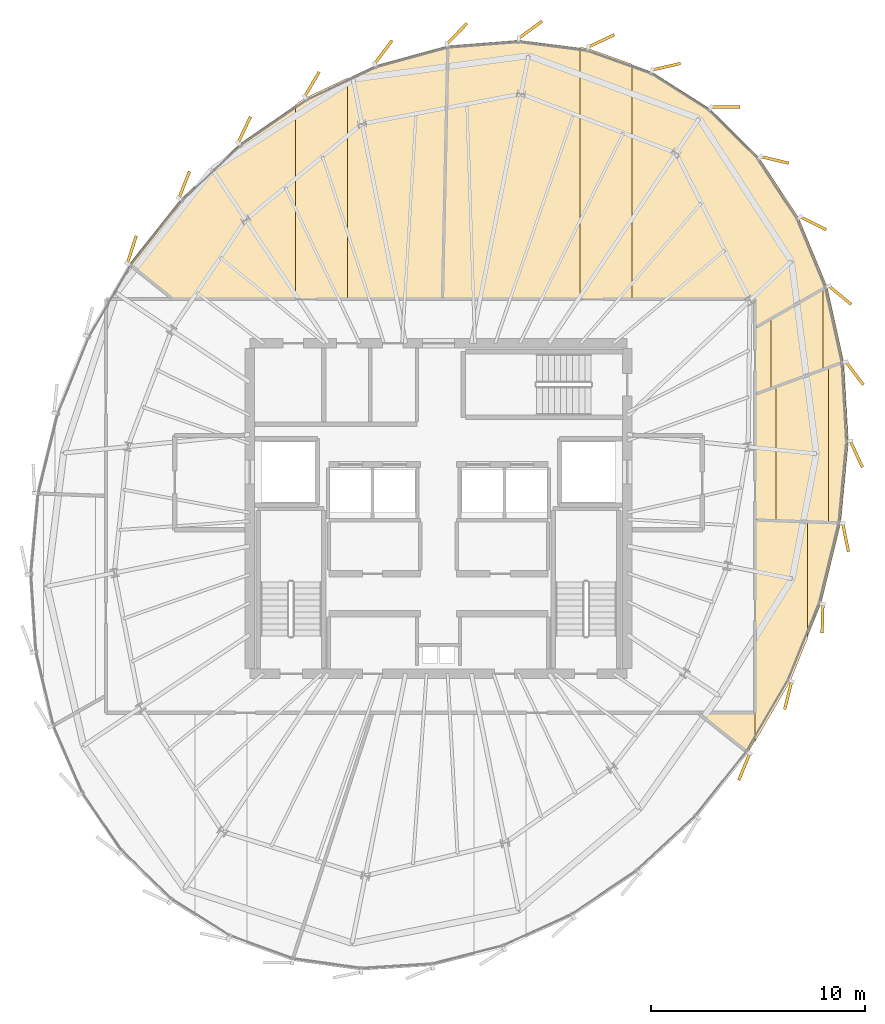
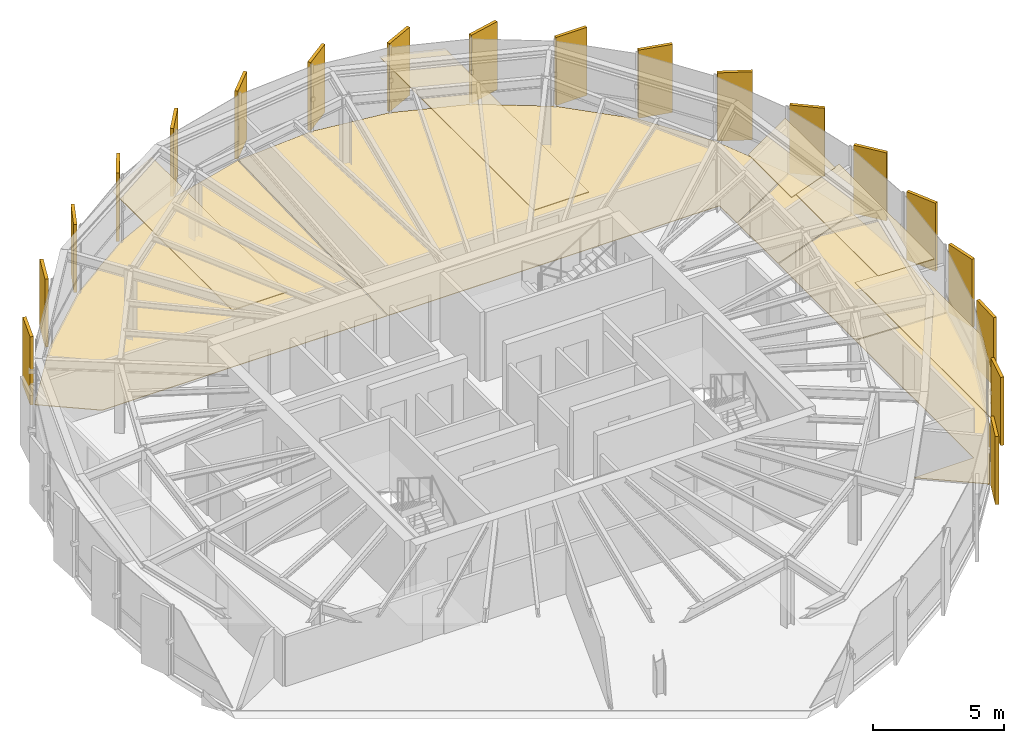
# One storey, part 31 of 31: 29 coverings.
"""IFC4 building model written with IfcOpenShell, lengths in metres."""

from ifc_helpers import new_model, si_unit, direction, frame, origin, origin_2d, place, context, subcontext, project, spatial, polyline, rectangle, outline, extrude, source, transform, mapped, material, layer, layer_set, type_object, element, save


model = new_model("IFC4")

# Units and contexts
model_context = context("Model", 3, precision=1e-05, world=origin(), true_north=direction((0.0, 1.0)))
body_context = subcontext(model_context, "Body", "Model", "MODEL_VIEW")
ifc_project = project(units=[si_unit("LENGTHUNIT", "METRE"), si_unit("AREAUNIT", "SQUARE_METRE"), si_unit("VOLUMEUNIT", "CUBIC_METRE"), si_unit("PLANEANGLEUNIT", "RADIAN"), si_unit("MASSUNIT", "GRAM", prefix="KILO"), si_unit("THERMODYNAMICTEMPERATUREUNIT", "KELVIN")], contexts=[model_context])

# Site, building, storey
site_placement = place(None, origin())
site = spatial("IfcSite", under=ifc_project, at=site_placement, CompositionType="ELEMENT")
building_placement = place(site_placement, origin())
building = spatial("IfcBuilding", under=site, at=building_placement, Name="Kethvar Cultural Tower", CompositionType="ELEMENT")
storey_placement = place(building_placement, frame((0.0, 0.0, 290.5)))
storey = spatial("IfcBuildingStorey", under=building, at=storey_placement, Name="L77", CompositionType="ELEMENT", Elevation=290.5)

# Coverings
ifc_material_1 = material(Name="Acoustic Mineral Fibre Ceiling")
ifc_layer_1 = layer(ifc_material_1, 0.0400390625, Name="Acoustic Mineral Fibre Ceiling")
ifc_layer_set_1 = layer_set([ifc_layer_1], Name="Acoustic Mineral Fibre Ceiling (40 mm)")
covering_type_1 = type_object("IfcCoveringType", Name="CV-ACOUSTIC-CEIL", PredefinedType="CEILING", material=ifc_layer_set_1)
covering_1_placement = place(storey_placement, frame((0.0, 0.0, 2.669921875)))
element("IfcCovering", 1, at=covering_1_placement, inside=storey, type_object=covering_type_1, Name="L77 Room 03 Acoustic Ceiling Panel", PredefinedType="CEILING", context=body_context, shape_type="SweptSolid", body=[
    extrude(outline(polyline([(63.21142578125, 19.76171875), (61.56640625, 16.93505859375), (61.56640625, 27.282958984375), (63.996337890625, 27.194580078125), (63.996337890625, 21.7041015625), (63.21142578125, 19.76171875)])), origin(), (0.0, 0.0, 1.0), 0.0400390625),
])
covering_2_placement = place(storey_placement, frame((0.0, 0.0, 2.669921875)))
element("IfcCovering", 2, at=covering_2_placement, inside=storey, type_object=covering_type_1, Name="L77 Room 04 Acoustic Ceiling Panel", PredefinedType="CEILING", context=body_context, shape_type="SweptSolid", body=[
    extrude(outline(polyline([(62.5478515625, 27.207275390625), (62.5478515625, 33.50048828125), (64.977783203125, 34.376953125), (64.977783203125, 27.118896484375), (62.5478515625, 27.207275390625)])), origin(), (0.0, 0.0, 1.0), 0.0400390625),
])
covering_3_placement = place(storey_placement, frame((0.0, 0.0, 2.669921875)))
element("IfcCovering", 3, at=covering_3_placement, inside=storey, type_object=covering_type_1, Name="L77 Room 05 Acoustic Ceiling Panel", PredefinedType="CEILING", context=body_context, shape_type="SweptSolid", body=[
    extrude(outline(polyline([(62.30419921875, 33.3701171875), (62.30419921875, 36.665283203125), (64.734130859375, 38.051025390625), (64.734130859375, 34.24658203125), (62.30419921875, 33.3701171875)])), origin(), (0.0, 0.0, 1.0), 0.0400390625),
])
covering_4_placement = place(storey_placement, frame((0.0, 0.0, 2.669921875)))
element("IfcCovering", 4, at=covering_4_placement, inside=storey, type_object=covering_type_1, Name="L77 Room 06 Acoustic Ceiling Panel", PredefinedType="CEILING", context=body_context, shape_type="SweptSolid", body=[
    extrude(outline(polyline([(53.772705078125, 49.253173828125), (55.819091796875, 48.519287109375), (55.819091796875, 37.5419921875), (53.38916015625, 37.5419921875), (53.38916015625, 49.30224609375), (53.772705078125, 49.253173828125)])), origin(), (0.0, 0.0, 1.0), 0.0400390625),
])
covering_5_placement = place(storey_placement, frame((0.0, 0.0, 2.669921875)))
element("IfcCovering", 5, at=covering_5_placement, inside=storey, type_object=covering_type_1, Name="L77 Room 07 Acoustic Ceiling Panel", PredefinedType="CEILING", context=body_context, shape_type="SweptSolid", body=[
    extrude(outline(polyline([(40.586181640625, 46.941162109375), (42.554931640625, 47.87158203125), (42.554931640625, 37.5419921875), (40.125, 37.5419921875), (40.125, 46.623779296875), (40.586181640625, 46.941162109375)])), origin(), (0.0, 0.0, 1.0), 0.0400390625),
])
ifc_material_2 = material(Name="Architectural Oak Timber", Category="wood")
ifc_layer_2 = layer(ifc_material_2, 0.02490234375, Name="Architectural Oak Timber", Category="wood")
ifc_layer_set_2 = layer_set([ifc_layer_2], Name="Architectural Oak Timber (25 mm)")
covering_type_2 = type_object("IfcCoveringType", Name="CV-OAK-FLOOR", PredefinedType="FLOORING", material=ifc_layer_set_2)
covering_6_placement = place(storey_placement, origin())
element("IfcCovering", 6, at=covering_6_placement, inside=storey, type_object=covering_type_2, Name="L77 Room 03 Floor Finish", PredefinedType="FLOORING", context=body_context, shape_type="SweptSolid", body=[
    extrude(outline(polyline([(64.628173828125, 23.374267578125), (63.1748046875, 19.778076171875), (61.237060546875, 16.44873046875), (58.952392578125, 18.2490234375), (61.5830078125, 18.26318359375), (61.583984375, 27.2421875), (65.54150390625, 27.098388671875), (64.628173828125, 23.374267578125)])), origin(), (0.0, 0.0, 1.0), 0.02490234375),
])
covering_7_placement = place(storey_placement, origin())
element("IfcCovering", 7, at=covering_7_placement, inside=storey, type_object=covering_type_2, Name="L77 Room 04 Floor Finish", PredefinedType="FLOORING", context=body_context, shape_type="SweptSolid", body=[
    extrude(outline(polyline([(65.90576171875, 30.907470703125), (65.548828125, 27.13818359375), (61.583984375, 27.2822265625), (61.583984375, 33.110595703125), (65.694580078125, 34.593017578125), (65.90576171875, 30.907470703125)])), origin(), (0.0, 0.0, 1.0), 0.02490234375),
])
covering_8_placement = place(storey_placement, origin())
element("IfcCovering", 8, at=covering_8_placement, inside=storey, type_object=covering_type_2, Name="L77 Room 05 Floor Finish", PredefinedType="FLOORING", context=body_context, shape_type="SweptSolid", body=[
    extrude(outline(polyline([(65.689697265625, 34.633544921875), (61.583984375, 33.153076171875), (61.583984375, 36.20849609375), (64.918212890625, 38.110107421875), (65.689697265625, 34.633544921875)])), origin(), (0.0, 0.0, 1.0), 0.02490234375),
])
covering_9_placement = place(storey_placement, origin())
element("IfcCovering", 9, at=covering_9_placement, inside=storey, type_object=covering_type_2, Name="L77 Room 06 Floor Finish", PredefinedType="FLOORING", context=body_context, shape_type="SweptSolid", body=[
    extrude(outline(polyline([(47.22998046875, 49.365478515625), (50.549072265625, 49.625), (53.765625, 49.213623046875), (56.763427734375, 48.137939453125), (59.450927734375, 46.428466796875), (61.747314453125, 44.138916015625), (63.585205078125, 41.34375), (64.90673828125, 38.1494140625), (61.583984375, 36.25439453125), (61.56591796875, 37.581787109375), (47.006103515625, 37.58203125), (47.22998046875, 49.365478515625)])), origin(), (0.0, 0.0, 1.0), 0.02490234375),
])
covering_10_placement = place(storey_placement, origin())
element("IfcCovering", 10, at=covering_10_placement, inside=storey, type_object=covering_type_2, Name="L77 Room 07 Floor Finish", PredefinedType="FLOORING", context=body_context, shape_type="SweptSolid", body=[
    extrude(outline(polyline([(34.773193359375, 42.19677734375), (37.545166015625, 44.80126953125), (40.607666015625, 46.9072265625), (43.86474609375, 48.4462890625), (47.189697265625, 49.357421875), (46.966064453125, 37.58203125), (34.42578125, 37.58203125), (32.3876953125, 39.18896484375), (34.773193359375, 42.19677734375)])), origin(), (0.0, 0.0, 1.0), 0.02490234375),
])
ifc_material_3 = material(Name="Extruded Architectural Terracotta", Category="masonry")
ifc_layer_3 = layer(ifc_material_3, 0.135009765625, Name="Extruded Architectural Terracotta", Category="masonry")
ifc_layer_set_3 = layer_set([ifc_layer_3], Name="Extruded Architectural Terracotta (135 mm)")
covering_type_3 = type_object("IfcCoveringType", Name="Terracotta Facade Fin FIN-03", PredefinedType="CLADDING", material=ifc_layer_set_3)
shared_shape = source(origin(), body_context, "Body", "SweptSolid", [
    extrude(rectangle(XDim=1.35009765625, YDim=0.135009765625, at=origin_2d()), origin(), (0.0, 0.0, 1.0), 3.169921875),
])
for number, where, z_axis, x_axis, name in (
    (11, (57.42333984375, 48.395751953125, 0.02001953125), (0.0, 0.0, 1.0), (0.97417338697, 0.225801266869, 0.0), "L77 Vertical Terracotta Fin 1.1"),
    (12, (54.39111328125, 49.600341796875, 0.02001953125), (0.0, 0.0, 1.0), (0.904603990929, 0.426252999515, 0.0), "L77 Vertical Terracotta Fin 1.2"),
    (13, (51.08837890625, 50.122802734375, 0.02001953125), (0.0, 0.0, 1.0), (0.807784166349, 0.589478363128, 0.0), "L77 Vertical Terracotta Fin 1.3"),
    (14, (47.662353515625, 49.9423828125, 0.02001953125), (0.0, 0.0, 1.0), (0.701158192968, 0.713005742217, 0.0), "L77 Vertical Terracotta Fin 1.4"),
    (15, (44.2275390625, 49.078125, 0.02001953125), (0.0, 0.0, 1.0), (0.598464436629, 0.801149373145, 0.0), "L77 Vertical Terracotta Fin 1.5"),
    (16, (40.89501953125, 47.572021484375, 0.02001953125), (0.0, 0.0, 1.0), (0.507688737887, 0.861540565163, 0.0), "L77 Vertical Terracotta Fin 1.6"),
    (17, (37.743408203125, 45.45947265625, 0.02001953125), (0.0, 0.0, 1.0), (0.431928342753, 0.901907925859, 0.0), "L77 Vertical Terracotta Fin 2.1"),
    (18, (34.94384765625, 42.887939453125, 0.02001953125), (0.0, 0.0, 1.0), (0.367637672416, 0.929969107993, 0.0), "L77 Vertical Terracotta Fin 2.2"),
    (19, (32.49951171875, 39.86767578125, 0.02001953125), (0.0, 0.0, 1.0), (0.309846829984, 0.950786485994, 0.0), "L77 Vertical Terracotta Fin 2.3"),
    (20, (61.056884765625, 15.753662109375, 0.02001953125), (0.0, 0.0, 1.0), (-0.377840786818, -0.92587058481, 0.0), "L77 Vertical Terracotta Fin 5.3"),
    (21, (63.103759765625, 19.084228515625, 0.02001953125), (0.0, 0.0, 1.0), (-0.2419218956, -0.970295726276, 0.0), "L77 Vertical Terracotta Fin 5.4"),
    (22, (64.70556640625, 22.67431640625, 0.02001953125), (0.0, 0.0, 1.0), (-0.028793952368, -0.999585368194, 0.0), "L77 Vertical Terracotta Fin 5.5"),
    (23, (65.780029296875, 26.4482421875, 0.02001953125), (0.0, 0.0, 1.0), (0.197828426963, -0.980236661978, 0.0), "L77 Vertical Terracotta Fin 5.6"),
    (24, (66.2841796875, 30.333251953125, 0.02001953125), (0.0, 0.0, 1.0), (0.415328414356, -0.909671538649, 0.0), "L77 Vertical Terracotta Fin 6.1"),
    (25, (66.20166015625, 34.102294921875, 0.02001953125), (0.0, 0.0, 1.0), (0.608345946742, -0.793671978264, 0.0), "L77 Vertical Terracotta Fin 6.2"),
    (26, (65.526123046875, 37.7412109375, 0.02001953125), (0.0, 0.0, 1.0), (0.770624482513, -0.637289500111, 0.0), "L77 Vertical Terracotta Fin 6.3"),
    (27, (64.273681640625, 41.095703125, 0.02001953125), (0.0, 0.0, 1.0), (0.894700610308, -0.446666338461, 0.0), "L77 Vertical Terracotta Fin 6.4"),
    (28, (62.476318359375, 44.053466796875, 0.02001953125), (0.0, 0.0, 1.0), (0.973299193131, -0.22954015041, 0.0), "L77 Vertical Terracotta Fin 6.5"),
    (29, (60.181396484375, 46.51220703125, 0.02001953125), (0.0, 0.0, 1.0), (0.999999619228, 0.000872664515, 0.0), "L77 Vertical Terracotta Fin 6.6"),
):
    element("IfcCovering", number, at=place(storey_placement, frame(where, z_axis=z_axis, x_axis=x_axis)), inside=storey, type_object=covering_type_3, Name=name, PredefinedType="CLADDING", context=body_context, shape_type="MappedRepresentation", body=[
        mapped(shared_shape, transform((0.0, 0.0, 0.0), scale=1.0)),
    ])

save(model, "model.ifc")
